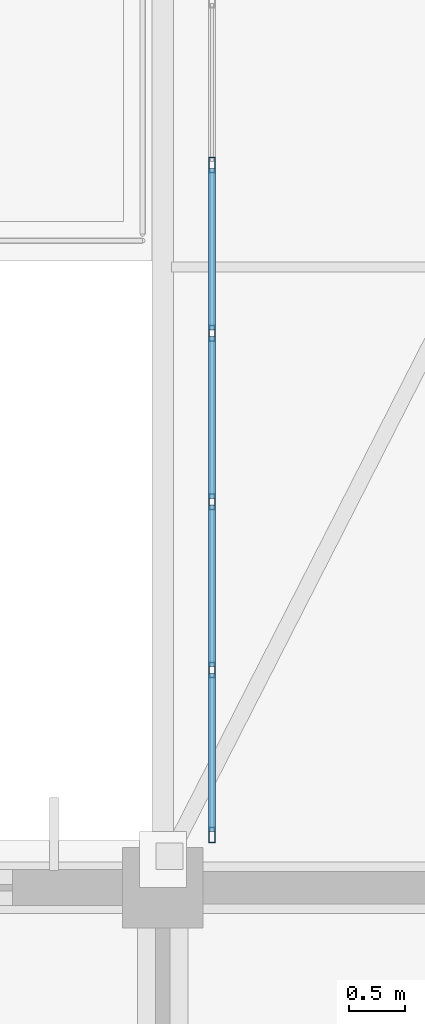
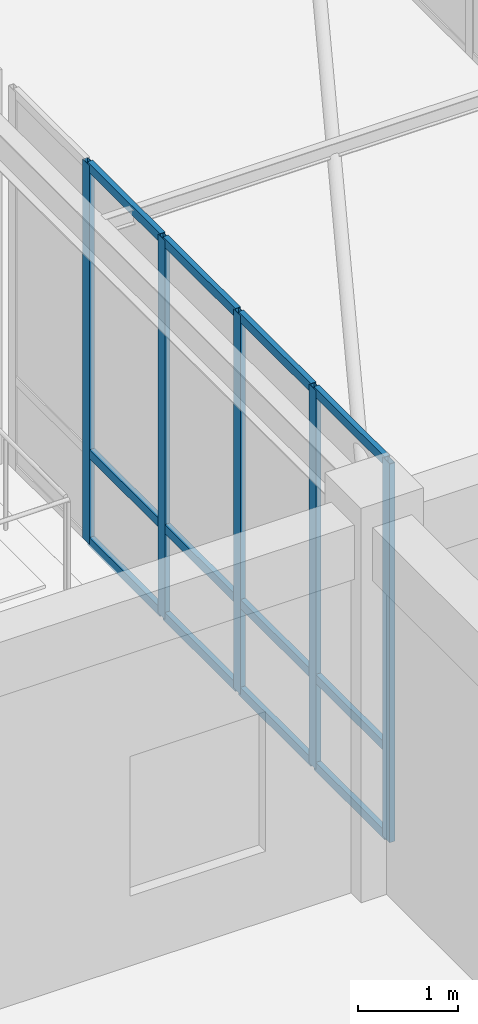
# One storey, part 32 of 158: 17 members, 1 element without a shape of its own.
"""IFC4 building model written with IfcOpenShell, lengths in metres."""

from ifc_helpers import new_model, si_unit, direction, frame, origin, origin_2d, place, context, subcontext, project, spatial, hollow_rectangle, extrude, material, layer, layer_set, material_profile, profile_set, type_object, element, aggregate, save


model = new_model("IFC4")

# Units and contexts
model_context = context("Model", 3, precision=1e-05, world=origin(), true_north=direction((0.0, 1.0)))
body_context = subcontext(model_context, "Body", "Model", "MODEL_VIEW")
ifc_project = project(units=[si_unit("LENGTHUNIT", "METRE"), si_unit("AREAUNIT", "SQUARE_METRE"), si_unit("VOLUMEUNIT", "CUBIC_METRE"), si_unit("PLANEANGLEUNIT", "RADIAN"), si_unit("MASSUNIT", "GRAM", prefix="KILO")], contexts=[model_context])

# Site, building, storey
site_placement = place(None, origin())
site = spatial("IfcSite", under=ifc_project, at=site_placement, CompositionType="ELEMENT")
building_placement = place(site_placement, origin())
building = spatial("IfcBuilding", under=site, at=building_placement, Name="Trelvath General Hospital", CompositionType="ELEMENT")
storey_placement = place(building_placement, frame((0.0, 0.0, 8.10009765625)))
storey = spatial("IfcBuildingStorey", under=building, at=storey_placement, Name="L02", CompositionType="ELEMENT", Elevation=8.10009765625)

# Curtain wall, members
ifc_material_1 = material(Name="Anodised aluminium and low-E glass", Category="aluminium")
ifc_layer = layer(ifc_material_1, 0.139892578125)
ifc_layer_set = layer_set([ifc_layer], Name="Anodised aluminium and low-E glass")
curtain_wall_type = type_object("IfcCurtainWallType", Name="CW Bridge 752 461", PredefinedType="USERDEFINED", material=ifc_layer_set)
curtain_wall_placement = place(storey_placement, origin())
curtain_wall = element("IfcCurtainWall", 1, at=curtain_wall_placement, inside=storey, type_object=curtain_wall_type, Name="Glazed Bridge Curtain Wall BRG-S-C W L02", ObjectType="Unitised Glazed Curtain Wall", PredefinedType="USERDEFINED")
ifc_material_2 = material(Name="Anodised aluminium", Category="aluminium")
ifc_material_profile_1 = material_profile(ifc_material_2, hollow_rectangle(XDim=0.06005859375, YDim=0.139892578125, WallThickness=0.00390625, at=origin_2d()), Name="RHS60x140x4")
ifc_profile_set_1 = profile_set([ifc_material_profile_1], Name="Anodised aluminium")
member_type_1 = type_object("IfcMemberType", Name="CurtainMullion 60x140", PredefinedType="MULLION", material=ifc_profile_set_1)
member_1_placement = place(storey_placement, frame((76.0400390625, 25.669921875, 0.0), z_axis=(0.0, 0.0, 1.0), x_axis=(-1.0, 0.0, 0.0)))
member_1 = element("IfcMember", 2, at=member_1_placement, type_object=member_type_1, Name="CW-226 mullion 1", PredefinedType="MULLION", context=body_context, shape_type="SweptSolid", body=[
    extrude(hollow_rectangle(XDim=0.06005859375, YDim=0.139892578125, WallThickness=0.00390625, at=origin_2d()), origin(), (0.0, 0.0, 1.0), 4.60986328125),
])
member_2_placement = place(storey_placement, frame((76.0400390625, 27.14404296875, 0.0), z_axis=(0.0, 0.0, 1.0), x_axis=(-1.0, 0.0, 0.0)))
member_2 = element("IfcMember", 3, at=member_2_placement, type_object=member_type_1, Name="CW-226 mullion 2", PredefinedType="MULLION", context=body_context, shape_type="SweptSolid", body=[
    extrude(hollow_rectangle(XDim=0.06005859375, YDim=0.139892578125, WallThickness=0.00390625, at=origin_2d()), origin(), (0.0, 0.0, 1.0), 4.60986328125),
])
member_3_placement = place(storey_placement, frame((76.0400390625, 28.64794921875, 0.0), z_axis=(0.0, 0.0, 1.0), x_axis=(-1.0, 0.0, 0.0)))
member_3 = element("IfcMember", 4, at=member_3_placement, type_object=member_type_1, Name="CW-226 mullion 3", PredefinedType="MULLION", context=body_context, shape_type="SweptSolid", body=[
    extrude(hollow_rectangle(XDim=0.06005859375, YDim=0.139892578125, WallThickness=0.00390625, at=origin_2d()), origin(), (0.0, 0.0, 1.0), 4.60986328125),
])
member_4_placement = place(storey_placement, frame((76.0400390625, 30.152099609375, 0.0), z_axis=(0.0, 0.0, 1.0), x_axis=(-1.0, 0.0, 0.0)))
member_4 = element("IfcMember", 5, at=member_4_placement, type_object=member_type_1, Name="CW-226 mullion 4", PredefinedType="MULLION", context=body_context, shape_type="SweptSolid", body=[
    extrude(hollow_rectangle(XDim=0.06005859375, YDim=0.139892578125, WallThickness=0.00390625, at=origin_2d()), origin(), (0.0, 0.0, 1.0), 4.60986328125),
])
member_5_placement = place(storey_placement, frame((76.0400390625, 31.656005859375, 0.0), z_axis=(0.0, 0.0, 1.0), x_axis=(-1.0, 0.0, 0.0)))
member_5 = element("IfcMember", 6, at=member_5_placement, type_object=member_type_1, Name="CW-226 mullion 5", PredefinedType="MULLION", context=body_context, shape_type="SweptSolid", body=[
    extrude(hollow_rectangle(XDim=0.06005859375, YDim=0.139892578125, WallThickness=0.00390625, at=origin_2d()), origin(), (0.0, 0.0, 1.0), 4.60986328125),
])
ifc_material_3 = material(Name="Anodised aluminium", Category="aluminium")
ifc_material_profile_2 = material_profile(ifc_material_3, hollow_rectangle(XDim=0.06005859375, YDim=0.110107421875, WallThickness=0.00390625, at=origin_2d()), Name="RHS60x110x4")
ifc_profile_set_2 = profile_set([ifc_material_profile_2], Name="Anodised aluminium")
member_type_2 = type_object("IfcMemberType", Name="CurtainTransom 60x110", PredefinedType="USERDEFINED", material=ifc_profile_set_2)
member_6_placement = place(storey_placement, frame((76.0400390625, 25.699951171875, 0.02978515625), z_axis=(0.0, 1.0, 0.0), x_axis=(-1.0, 0.0, 0.0)))
member_6 = element("IfcMember", 7, at=member_6_placement, type_object=member_type_2, Name="CW-226 transom 1.1", ObjectType="TRANSOM", PredefinedType="USERDEFINED", context=body_context, shape_type="SweptSolid", body=[
    extrude(hollow_rectangle(XDim=0.06005859375, YDim=0.110107421875, WallThickness=0.00390625, at=origin_2d()), origin(), (0.0, 0.0, 1.0), 1.4140625),
])
member_7_placement = place(storey_placement, frame((76.0400390625, 25.699951171875, 1.099853515625), z_axis=(0.0, 1.0, 0.0), x_axis=(-1.0, 0.0, 0.0)))
member_7 = element("IfcMember", 8, at=member_7_placement, type_object=member_type_2, Name="CW-226 transom 1.2", ObjectType="TRANSOM", PredefinedType="USERDEFINED", context=body_context, shape_type="SweptSolid", body=[
    extrude(hollow_rectangle(XDim=0.06005859375, YDim=0.110107421875, WallThickness=0.00390625, at=origin_2d()), origin(), (0.0, 0.0, 1.0), 1.4140625),
])
member_8_placement = place(storey_placement, frame((76.0400390625, 25.699951171875, 4.579833984375), z_axis=(0.0, 1.0, 0.0), x_axis=(-1.0, 0.0, 0.0)))
member_8 = element("IfcMember", 9, at=member_8_placement, type_object=member_type_2, Name="CW-226 transom 1.3", ObjectType="TRANSOM", PredefinedType="USERDEFINED", context=body_context, shape_type="SweptSolid", body=[
    extrude(hollow_rectangle(XDim=0.06005859375, YDim=0.110107421875, WallThickness=0.00390625, at=origin_2d()), origin(), (0.0, 0.0, 1.0), 1.4140625),
])
member_9_placement = place(storey_placement, frame((76.0400390625, 27.174072265625, 0.02978515625), z_axis=(0.0, 1.0, 0.0), x_axis=(-1.0, 0.0, 0.0)))
member_9 = element("IfcMember", 10, at=member_9_placement, type_object=member_type_2, Name="CW-226 transom 2.1", ObjectType="TRANSOM", PredefinedType="USERDEFINED", context=body_context, shape_type="SweptSolid", body=[
    extrude(hollow_rectangle(XDim=0.06005859375, YDim=0.110107421875, WallThickness=0.00390625, at=origin_2d()), origin(), (0.0, 0.0, 1.0), 1.44384765625),
])
member_10_placement = place(storey_placement, frame((76.0400390625, 27.174072265625, 1.099853515625), z_axis=(0.0, 1.0, 0.0), x_axis=(-1.0, 0.0, 0.0)))
member_10 = element("IfcMember", 11, at=member_10_placement, type_object=member_type_2, Name="CW-226 transom 2.2", ObjectType="TRANSOM", PredefinedType="USERDEFINED", context=body_context, shape_type="SweptSolid", body=[
    extrude(hollow_rectangle(XDim=0.06005859375, YDim=0.110107421875, WallThickness=0.00390625, at=origin_2d()), origin(), (0.0, 0.0, 1.0), 1.44384765625),
])
member_11_placement = place(storey_placement, frame((76.0400390625, 27.174072265625, 4.579833984375), z_axis=(0.0, 1.0, 0.0), x_axis=(-1.0, 0.0, 0.0)))
member_11 = element("IfcMember", 12, at=member_11_placement, type_object=member_type_2, Name="CW-226 transom 2.3", ObjectType="TRANSOM", PredefinedType="USERDEFINED", context=body_context, shape_type="SweptSolid", body=[
    extrude(hollow_rectangle(XDim=0.06005859375, YDim=0.110107421875, WallThickness=0.00390625, at=origin_2d()), origin(), (0.0, 0.0, 1.0), 1.44384765625),
])
member_12_placement = place(storey_placement, frame((76.0400390625, 28.677978515625, 0.02978515625), z_axis=(0.0, 1.0, 0.0), x_axis=(-1.0, 0.0, 0.0)))
member_12 = element("IfcMember", 13, at=member_12_placement, type_object=member_type_2, Name="CW-226 transom 3.1", ObjectType="TRANSOM", PredefinedType="USERDEFINED", context=body_context, shape_type="SweptSolid", body=[
    extrude(hollow_rectangle(XDim=0.06005859375, YDim=0.110107421875, WallThickness=0.00390625, at=origin_2d()), origin(), (0.0, 0.0, 1.0), 1.444091796875),
])
member_13_placement = place(storey_placement, frame((76.0400390625, 28.677978515625, 1.099853515625), z_axis=(0.0, 1.0, 0.0), x_axis=(-1.0, 0.0, 0.0)))
member_13 = element("IfcMember", 14, at=member_13_placement, type_object=member_type_2, Name="CW-226 transom 3.2", ObjectType="TRANSOM", PredefinedType="USERDEFINED", context=body_context, shape_type="SweptSolid", body=[
    extrude(hollow_rectangle(XDim=0.06005859375, YDim=0.110107421875, WallThickness=0.00390625, at=origin_2d()), origin(), (0.0, 0.0, 1.0), 1.444091796875),
])
member_14_placement = place(storey_placement, frame((76.0400390625, 28.677978515625, 4.579833984375), z_axis=(0.0, 1.0, 0.0), x_axis=(-1.0, 0.0, 0.0)))
member_14 = element("IfcMember", 15, at=member_14_placement, type_object=member_type_2, Name="CW-226 transom 3.3", ObjectType="TRANSOM", PredefinedType="USERDEFINED", context=body_context, shape_type="SweptSolid", body=[
    extrude(hollow_rectangle(XDim=0.06005859375, YDim=0.110107421875, WallThickness=0.00390625, at=origin_2d()), origin(), (0.0, 0.0, 1.0), 1.444091796875),
])
member_15_placement = place(storey_placement, frame((76.0400390625, 30.181884765625, 0.02978515625), z_axis=(0.0, 1.0, 0.0), x_axis=(-1.0, 0.0, 0.0)))
member_15 = element("IfcMember", 16, at=member_15_placement, type_object=member_type_2, Name="CW-226 transom 4.1", ObjectType="TRANSOM", PredefinedType="USERDEFINED", context=body_context, shape_type="SweptSolid", body=[
    extrude(hollow_rectangle(XDim=0.06005859375, YDim=0.110107421875, WallThickness=0.00390625, at=origin_2d()), origin(), (0.0, 0.0, 1.0), 1.444091796875),
])
member_16_placement = place(storey_placement, frame((76.0400390625, 30.181884765625, 1.099853515625), z_axis=(0.0, 1.0, 0.0), x_axis=(-1.0, 0.0, 0.0)))
member_16 = element("IfcMember", 17, at=member_16_placement, type_object=member_type_2, Name="CW-226 transom 4.2", ObjectType="TRANSOM", PredefinedType="USERDEFINED", context=body_context, shape_type="SweptSolid", body=[
    extrude(hollow_rectangle(XDim=0.06005859375, YDim=0.110107421875, WallThickness=0.00390625, at=origin_2d()), origin(), (0.0, 0.0, 1.0), 1.444091796875),
])
member_17_placement = place(storey_placement, frame((76.0400390625, 30.181884765625, 4.579833984375), z_axis=(0.0, 1.0, 0.0), x_axis=(-1.0, 0.0, 0.0)))
member_17 = element("IfcMember", 18, at=member_17_placement, type_object=member_type_2, Name="CW-226 transom 4.3", ObjectType="TRANSOM", PredefinedType="USERDEFINED", context=body_context, shape_type="SweptSolid", body=[
    extrude(hollow_rectangle(XDim=0.06005859375, YDim=0.110107421875, WallThickness=0.00390625, at=origin_2d()), origin(), (0.0, 0.0, 1.0), 1.444091796875),
])
aggregate(curtain_wall, [member_1, member_2, member_3, member_4, member_5, member_6, member_7, member_8, member_9, member_10, member_11, member_12, member_13, member_14, member_15, member_16, member_17])

save(model, "model.ifc")
